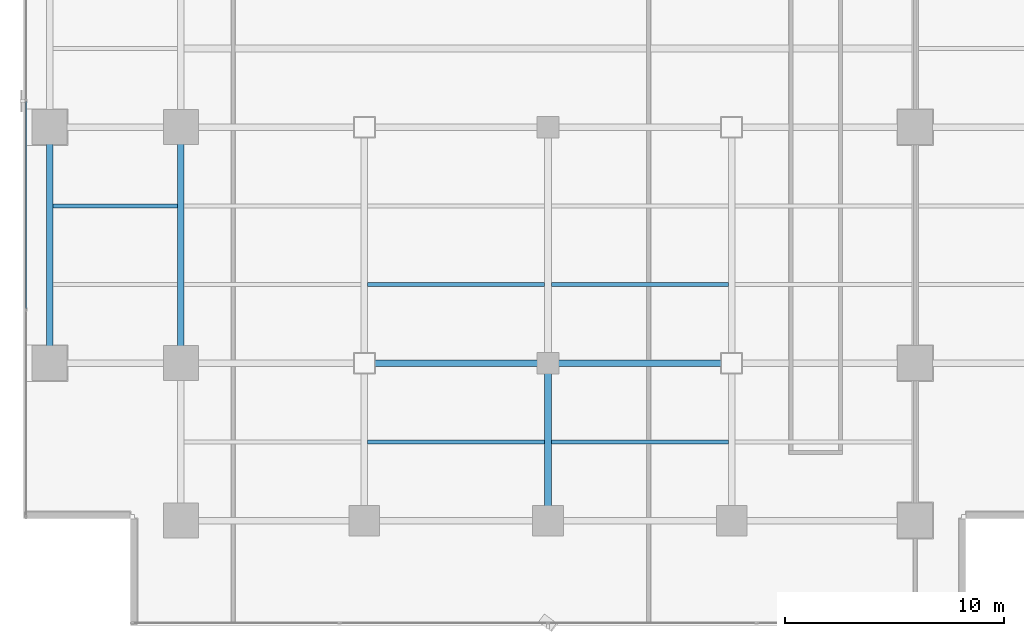
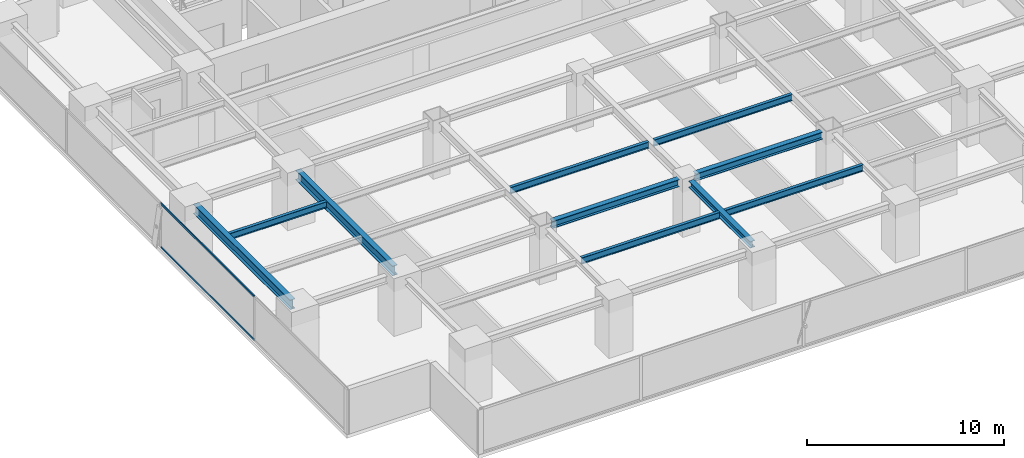
# One storey, part 6 of 27: 10 beams, 2 members, 1 element without a shape of its own.
"""IFC4 building model written with IfcOpenShell, lengths in metres."""

import ifcopenshell
import ifcopenshell.guid

model = None  # the IFC model being written
_history = None  # IfcOwnerHistory: only IFC2X3 demands one
_inside = {}  # id of a spatial element -> (the spatial element, [elements in it])
_under = {}  # id of a project, library or spatial element -> (it, [spatial elements below it])
_declared = {}  # id of a project -> (the project, [libraries it declares])
_typed = {}  # id of a type object -> (the type object, [elements of that type])
_made_of = {}  # id of a material, layer set ... -> (it, [elements and type objects made of it])


def new_model(schema):
    """Start an empty IFC model of exactly this schema.

    Asked for "IFC4X3", IfcOpenShell would pick the latest addendum, in which some entities
    have other attributes; the version numbers below select the first issue.
    IFC2X3 requires an IfcOwnerHistory on every rooted entity: one is made here for all.
    """
    global model, _history
    if schema == "IFC4X3":
        model = ifcopenshell.file(schema_version=(4, 3, 0, 0))
    else:
        model = ifcopenshell.file(schema=schema)
    _inside.clear()
    _under.clear()
    _declared.clear()
    _typed.clear()
    _made_of.clear()
    _history = None
    if model.schema == "IFC2X3":
        org = make("IfcOrganization", Name="unknown")
        user = make(
            "IfcPersonAndOrganization",
            ThePerson=make("IfcPerson", FamilyName="unknown"),
            TheOrganization=org,
        )
        app = make(
            "IfcApplication",
            ApplicationDeveloper=org,
            Version="unknown",
            ApplicationFullName="unknown",
            ApplicationIdentifier="unknown",
        )
        _history = make(
            "IfcOwnerHistory",
            OwningUser=user,
            OwningApplication=app,
            ChangeAction="ADDED",
            CreationDate=0,
        )
    return model


def make(cls, **values):
    """One entity of the class cls with the attributes given. An attribute that is None is left unset."""
    return model.create_entity(
        cls, **{name: value for name, value in values.items() if value is not None}
    )


def rooted(cls, **values):
    """An entity with a GlobalId (a new one), such as an element, a storey or a relation."""
    return make(cls, GlobalId=ifcopenshell.guid.new(), OwnerHistory=_history, **values)


def si_unit(unit_type, name, prefix=None):
    """IfcSIUnit, for example si_unit("LENGTHUNIT", "METRE", prefix="MILLI")."""
    return make("IfcSIUnit", UnitType=unit_type, Prefix=prefix, Name=name)


def assignment(units):
    """IfcUnitAssignment: the units of a project."""
    return None if units is None else make("IfcUnitAssignment", Units=units)


def point(xyz):
    """IfcCartesianPoint."""
    return None if xyz is None else make("IfcCartesianPoint", Coordinates=xyz)


def direction(xyz):
    """IfcDirection."""
    return None if xyz is None else make("IfcDirection", DirectionRatios=xyz)


def frame(location, z_axis=None, x_axis=None):
    """IfcAxis2Placement3D, a coordinate frame: its origin and axes. An axis left out is left unset."""
    return make(
        "IfcAxis2Placement3D",
        Location=point(location),
        Axis=direction(z_axis),
        RefDirection=direction(x_axis),
    )


def frame_2d(location, x_axis=None):
    """IfcAxis2Placement2D, a coordinate frame in the plane: its origin and x axis."""
    return make(
        "IfcAxis2Placement2D", Location=point(location), RefDirection=direction(x_axis)
    )


def origin():
    """The frame at (0, 0, 0) with its axes left unset."""
    return frame((0.0, 0.0, 0.0))


def origin_2d():
    """The frame at (0, 0) in the plane with its x axis left unset."""
    return frame_2d((0.0, 0.0))


def place(relative_to, where):
    """IfcLocalPlacement: puts the frame where relative to a parent placement (None: the world)."""
    return make(
        "IfcLocalPlacement", PlacementRelTo=relative_to, RelativePlacement=where
    )


def context(
    kind, dimensions, precision=None, world=None, true_north=None, identifier=None
):
    """IfcGeometricRepresentationContext, for example the 3D "Model" context."""
    return make(
        "IfcGeometricRepresentationContext",
        ContextIdentifier=identifier,
        ContextType=kind,
        CoordinateSpaceDimension=dimensions,
        Precision=precision,
        WorldCoordinateSystem=world,
        TrueNorth=true_north,
    )


def subcontext(parent, identifier, kind, view, scale=None):
    """IfcGeometricRepresentationSubContext, for example "Body" below "Model"."""
    return make(
        "IfcGeometricRepresentationSubContext",
        ContextIdentifier=identifier,
        ContextType=kind,
        ParentContext=parent,
        TargetScale=scale,
        TargetView=view,
    )


def project(units=None, contexts=None):
    """IfcProject with its units and contexts."""
    return rooted(
        "IfcProject",
        Name="project",
        RepresentationContexts=contexts,
        UnitsInContext=assignment(units),
    )


def spatial(cls, under=None, at=None, **own):
    """A site, building, storey or space (cls), placed at a placement, below another one or the project."""
    s = rooted(cls, ObjectPlacement=at, **own)
    if under is not None:
        _under.setdefault(under.id(), (under, []))[1].append(s)
    return s


def profile(cls, at=None, kind="AREA", **sizes):
    """A parametric profile (cls). Its sizes go by their IFC names, for example OverallWidth=200.0."""
    return make(cls, ProfileType=kind, Position=at, **sizes)


def hollow_rectangle(**sizes):
    """IfcRectangleHollowProfileDef."""
    return profile("IfcRectangleHollowProfileDef", **sizes)


def i_section(**sizes):
    """IfcIShapeProfileDef."""
    return profile("IfcIShapeProfileDef", **sizes)


def extrude(swept, where, along, depth):
    """IfcExtrudedAreaSolid: the profile swept, set in the frame where, extruded along a direction by depth."""
    return make(
        "IfcExtrudedAreaSolid",
        SweptArea=swept,
        Position=where,
        ExtrudedDirection=direction(along),
        Depth=depth,
    )


def shape(context_of_items, identifier, shape_type, items):
    """IfcShapeRepresentation: the items that make up one representation, for example the "Body"."""
    return make(
        "IfcShapeRepresentation",
        ContextOfItems=context_of_items,
        RepresentationIdentifier=identifier,
        RepresentationType=shape_type,
        Items=items,
    )


def source(mapping_origin, context_of_items, identifier, shape_type, items):
    """IfcRepresentationMap: a shape defined once, which mapped items show again and again."""
    return make(
        "IfcRepresentationMap",
        MappingOrigin=mapping_origin,
        MappedRepresentation=shape(context_of_items, identifier, shape_type, items),
    )


def transform(
    local_origin,
    x_axis=None,
    y_axis=None,
    z_axis=None,
    scale=None,
    scale2=None,
    scale3=None,
    uniform=True,
):
    """IfcCartesianTransformationOperator3D, or its non-uniform kind. x_axis, y_axis, z_axis: its Axis1, 2, 3."""
    if uniform:
        return make(
            "IfcCartesianTransformationOperator3D",
            Axis1=direction(x_axis),
            Axis2=direction(y_axis),
            LocalOrigin=point(local_origin),
            Scale=scale,
            Axis3=direction(z_axis),
        )
    return make(
        "IfcCartesianTransformationOperator3DnonUniform",
        Axis1=direction(x_axis),
        Axis2=direction(y_axis),
        LocalOrigin=point(local_origin),
        Scale=scale,
        Axis3=direction(z_axis),
        Scale2=scale2,
        Scale3=scale3,
    )


def mapped(mapping_source, mapping_target):
    """IfcMappedItem: shows the shape of a source again, moved by a transform."""
    return make(
        "IfcMappedItem", MappingSource=mapping_source, MappingTarget=mapping_target
    )


def material(Name=None, Category=None):
    """IfcMaterial."""
    return make("IfcMaterial", Name=Name, Category=Category)


def layer(
    of_material, thickness, ventilated=None, Name=None, Category=None, Priority=None
):
    """IfcMaterialLayer: one layer of a wall or slab, of a material (None: an air gap)."""
    return make(
        "IfcMaterialLayer",
        Material=of_material,
        LayerThickness=thickness,
        IsVentilated=ventilated,
        Name=Name,
        Category=Category,
        Priority=Priority,
    )


def layer_set(layers, Name=None):
    """IfcMaterialLayerSet."""
    return make("IfcMaterialLayerSet", MaterialLayers=layers, LayerSetName=Name)


def material_profile(
    of_material, cross_section, Name=None, Category=None, Priority=None
):
    """IfcMaterialProfile: a cross section and its material."""
    return make(
        "IfcMaterialProfile",
        Name=Name,
        Material=of_material,
        Profile=cross_section,
        Priority=Priority,
        Category=Category,
    )


def profile_set(profiles, Name=None, composite=None):
    """IfcMaterialProfileSet."""
    return make(
        "IfcMaterialProfileSet",
        Name=Name,
        MaterialProfiles=profiles,
        CompositeProfile=composite,
    )


def made_of(thing, what):
    """Note that an element or type object is made of a material, layer set ...; save() writes the relation."""
    if what is not None:
        _made_of.setdefault(what.id(), (what, []))[1].append(thing)
    return thing


def type_object(cls, material=None, **own):
    """A type object (cls), such as IfcWallType, which elements share."""
    return made_of(rooted(cls, **own), material)


def element(
    cls,
    number,
    at=None,
    inside=None,
    cuts=None,
    type_object=None,
    material=None,
    context=None,
    identifier="Body",
    shape_type=None,
    held_by="IfcProductDefinitionShape",
    body=None,
    shapes=None,
    **own,
):
    """One element of the class cls, such as IfcWall. Its Tag is "e" and its number.

    at: its placement. inside: the storey or other place that contains it. cuts: it is an
    opening in that element (IfcRelVoidsElement). A single representation is given by context,
    identifier, shape_type and body (its items); several are given by shapes. held_by: the class
    of the entity that holds the representations. save() writes the other relations.
    """
    e = rooted(cls, Tag="e%d" % number, ObjectPlacement=at, **own)
    if body is not None:
        shapes = [shape(context, identifier, shape_type, body)]
    if shapes is not None:
        e.Representation = make(held_by, Representations=shapes)
    if inside is not None:
        _inside.setdefault(inside.id(), (inside, []))[1].append(e)
    if cuts is not None:
        rooted(
            "IfcRelVoidsElement", RelatingBuildingElement=cuts, RelatedOpeningElement=e
        )
    if type_object is not None:
        _typed.setdefault(type_object.id(), (type_object, []))[1].append(e)
    return made_of(e, material)


def aggregate(whole, parts):
    """IfcRelAggregates: a whole, such as a stair, and the parts it consists of."""
    return rooted("IfcRelAggregates", RelatingObject=whole, RelatedObjects=parts)


def save(model, path):
    """Write the relations noted so far, then the file.

    IfcRelAggregates (storeys below a building ...), IfcRelContainedInSpatialStructure (elements
    in a storey), IfcRelDefinesByType, IfcRelAssociatesMaterial and IfcRelDeclares: one each for
    every whole, place, type object, material and project.
    """
    for whole, parts in _under.values():
        aggregate(whole, parts)
    for where, things in _inside.values():
        rooted(
            "IfcRelContainedInSpatialStructure",
            RelatedElements=things,
            RelatingStructure=where,
        )
    for kind, things in _typed.values():
        rooted("IfcRelDefinesByType", RelatedObjects=things, RelatingType=kind)
    for what, things in _made_of.values():
        rooted("IfcRelAssociatesMaterial", RelatedObjects=things, RelatingMaterial=what)
    for by, libraries in _declared.values():
        rooted("IfcRelDeclares", RelatingContext=by, RelatedDefinitions=libraries)
    model.write(path)


model = new_model("IFC4")

# Units and contexts
model_context = context("Model", 3, precision=1e-05, world=origin(), true_north=direction((0.0, 1.0)))
body_context = subcontext(model_context, "Body", "Model", "MODEL_VIEW")
ifc_project = project(units=[si_unit("LENGTHUNIT", "METRE"), si_unit("AREAUNIT", "SQUARE_METRE"), si_unit("VOLUMEUNIT", "CUBIC_METRE"), si_unit("PLANEANGLEUNIT", "RADIAN"), si_unit("MASSUNIT", "GRAM", prefix="KILO")], contexts=[model_context])

# Site, building, storey
site_placement = place(None, origin())
site = spatial("IfcSite", under=ifc_project, at=site_placement, CompositionType="ELEMENT")
building_placement = place(site_placement, origin())
building = spatial("IfcBuilding", under=site, at=building_placement, Name="Sumidabori Civic Tower", CompositionType="ELEMENT")
storey_placement = place(building_placement, frame((0.0, 0.0, 164.0)))
storey = spatial("IfcBuildingStorey", under=building, at=storey_placement, Name="L42", CompositionType="ELEMENT", Elevation=164.0)

# Beams
ifc_material_1 = material(Name="Steel SN490", Category="steel")
ifc_material_profile_1 = material_profile(ifc_material_1, i_section(OverallWidth=0.300048828125, OverallDepth=0.39990234375, WebThickness=0.013427734375, FlangeThickness=0.02392578125, at=origin_2d()), Name="HE 400 B")
ifc_profile_set_1 = profile_set([ifc_material_profile_1], Name="Steel SN490")
beam_type_1 = type_object("IfcBeamType", Name="BM-GIRD-400", PredefinedType="BEAM", material=ifc_profile_set_1)
shared_shape_1 = source(origin(), body_context, "Body", "SweptSolid", [
    extrude(i_section(OverallWidth=0.300048828125, OverallDepth=0.39990234375, WebThickness=0.013427734375, FlangeThickness=0.02392578125, at=origin_2d()), origin(), (0.0, 0.0, 1.0), 6.239990234375),
])
beam_1_placement = place(storey_placement, frame((0.0, -17.52001953125, 3.179931640625), z_axis=(0.0, 1.0, 0.0), x_axis=(-1.0, 0.0, 0.0)))
element("IfcBeam", 1, at=beam_1_placement, inside=storey, type_object=beam_type_1, Name="Primary Girder L42 GY-28", PredefinedType="BEAM", context=body_context, shape_type="MappedRepresentation", body=[
    mapped(shared_shape_1, transform((0.0, 0.0, 0.0), x_axis=(1.0, 0.0, 0.0), y_axis=(0.0, 1.0, 0.0), z_axis=(0.0, 0.0, 1.0), scale=1.0)),
])
ifc_material_profile_2 = material_profile(ifc_material_1, i_section(OverallWidth=0.300048828125, OverallDepth=0.60009765625, WebThickness=0.015380859375, FlangeThickness=0.030029296875, at=origin_2d()), Name="HE 600 B")
ifc_profile_set_2 = profile_set([ifc_material_profile_2], Name="Steel SN490")
beam_type_2 = type_object("IfcBeamType", Name="BM-GIRD-600", PredefinedType="BEAM", material=ifc_profile_set_2)
shared_shape_2 = source(origin(), body_context, "Body", "SweptSolid", [
    extrude(i_section(OverallWidth=0.300048828125, OverallDepth=0.60009765625, WebThickness=0.015380859375, FlangeThickness=0.030029296875, at=origin_2d()), origin(), (0.0, 0.0, 1.0), 9.840087890625),
])
for number, where, z_axis, x_axis, name in (
    (2, (-22.800048828125, -10.320068359375, 3.080078125), (0.0, 1.0, 0.0), (-1.0, 0.0, 0.0), "Primary Girder L42 GY-19"),
    (3, (-16.800048828125, -10.320068359375, 3.080078125), (0.0, 1.0, 0.0), (-1.0, 0.0, 0.0), "Primary Girder L42 GY-23"),
):
    element("IfcBeam", number, at=place(storey_placement, frame(where, z_axis=z_axis, x_axis=x_axis)), inside=storey, type_object=beam_type_2, Name=name, PredefinedType="BEAM", context=body_context, shape_type="MappedRepresentation", body=[
        mapped(shared_shape_2, transform((0.0, 0.0, 0.0), x_axis=(1.0, 0.0, 0.0), y_axis=(0.0, 1.0, 0.0), z_axis=(0.0, 0.0, 1.0), scale=1.0)),
    ])
ifc_material_profile_3 = material_profile(ifc_material_1, i_section(OverallWidth=0.179931640625, OverallDepth=0.39990234375, WebThickness=0.008544921875, FlangeThickness=0.013427734375, at=origin_2d()), Name="IPE 400")
ifc_profile_set_3 = profile_set([ifc_material_profile_3], Name="Steel SN490")
beam_type_3 = type_object("IfcBeamType", Name="BM-JST-400", PredefinedType="JOIST", material=ifc_profile_set_3)
shared_shape_3 = source(origin(), body_context, "Body", "SweptSolid", [
    extrude(i_section(OverallWidth=0.179931640625, OverallDepth=0.39990234375, WebThickness=0.008544921875, FlangeThickness=0.013427734375, at=origin_2d()), origin(), (0.0, 0.0, 1.0), 5.699951171875),
])
beam_2_placement = place(storey_placement, frame((-22.64990234375, -3.60009765625, 3.179931640625), z_axis=(1.0, 0.0, 0.0), x_axis=(0.0, 1.0, 0.0)))
element("IfcBeam", 4, at=beam_2_placement, inside=storey, type_object=beam_type_3, Name="Outer Bay Floor Joist L42 JSTO-41", PredefinedType="JOIST", context=body_context, shape_type="MappedRepresentation", body=[
    mapped(shared_shape_3, transform((0.0, 0.0, 0.0), x_axis=(1.0, 0.0, 0.0), y_axis=(0.0, 1.0, 0.0), z_axis=(0.0, 0.0, 1.0), scale=1.0)),
])
shared_shape_4 = source(origin(), body_context, "Body", "SweptSolid", [
    extrude(i_section(OverallWidth=0.179931640625, OverallDepth=0.39990234375, WebThickness=0.008544921875, FlangeThickness=0.013427734375, at=origin_2d()), origin(), (0.0, 0.0, 1.0), 8.10009765625),
])
for number, where, z_axis, x_axis, name in (
    (5, (-8.25, -14.39990234375, 3.179931640625), (1.0, 0.0, 0.0), (0.0, 1.0, 0.0), "South Bay Floor Joist L42 JSTS-50"),
    (6, (0.14990234375, -14.39990234375, 3.179931640625), (1.0, 0.0, 0.0), (0.0, 1.0, 0.0), "South Bay Floor Joist L42 JSTS-51"),
    (7, (-8.25, -7.199951171875, 3.179931640625), (1.0, 0.0, 0.0), (0.0, 1.0, 0.0), "South Bay Floor Joist L42 JSTS-54"),
    (8, (0.14990234375, -7.199951171875, 3.179931640625), (1.0, 0.0, 0.0), (0.0, 1.0, 0.0), "South Bay Floor Joist L42 JSTS-55"),
):
    element("IfcBeam", number, at=place(storey_placement, frame(where, z_axis=z_axis, x_axis=x_axis)), inside=storey, type_object=beam_type_3, Name=name, PredefinedType="JOIST", context=body_context, shape_type="MappedRepresentation", body=[
        mapped(shared_shape_4, transform((0.0, 0.0, 0.0), x_axis=(1.0, 0.0, 0.0), y_axis=(0.0, 1.0, 0.0), z_axis=(0.0, 0.0, 1.0), scale=1.0)),
    ])
ifc_material_profile_4 = material_profile(ifc_material_1, i_section(OverallWidth=0.300048828125, OverallDepth=0.449951171875, WebThickness=0.013916015625, FlangeThickness=0.02587890625, at=origin_2d()), Name="HE 450 B")
ifc_profile_set_4 = profile_set([ifc_material_profile_4], Name="Steel SN490")
beam_type_4 = type_object("IfcBeamType", Name="BM-GIRD-450", PredefinedType="BEAM", material=ifc_profile_set_4)
shared_shape_5 = source(origin(), body_context, "Body", "SweptSolid", [
    extrude(i_section(OverallWidth=0.300048828125, OverallDepth=0.449951171875, WebThickness=0.013916015625, FlangeThickness=0.02587890625, at=origin_2d()), origin(), (0.0, 0.0, 1.0), 7.43994140625),
])
for number, where, z_axis, x_axis, name in (
    (9, (-7.919921875, -10.800048828125, 3.155029296875), (1.0, 0.0, 0.0), (0.0, 1.0, 0.0), "Primary Girder L42 GX-07"),
    (10, (0.47998046875, -10.800048828125, 3.155029296875), (1.0, 0.0, 0.0), (0.0, 1.0, 0.0), "Primary Girder L42 GX-08"),
):
    element("IfcBeam", number, at=place(storey_placement, frame(where, z_axis=z_axis, x_axis=x_axis)), inside=storey, type_object=beam_type_4, Name=name, PredefinedType="BEAM", context=body_context, shape_type="MappedRepresentation", body=[
        mapped(shared_shape_5, transform((0.0, 0.0, 0.0), x_axis=(1.0, 0.0, 0.0), y_axis=(0.0, 1.0, 0.0), z_axis=(0.0, 0.0, 1.0), scale=1.0)),
    ])

# Curtain wall, members
ifc_material_2 = material(Name="Anodised Bronze Aluminium AW-6063-T6", Category="aluminium")
ifc_layer = layer(ifc_material_2, 0.179931640625, Name="Anodised Bronze Aluminium AW-6063-T6")
ifc_layer_set = layer_set([ifc_layer], Name="Anodised Bronze Aluminium AW-6063-T6")
curtain_wall_type = type_object("IfcCurtainWallType", Name="CW-SYS-3", PredefinedType="NOTDEFINED", material=ifc_layer_set)
curtain_wall_placement = place(storey_placement, origin())
curtain_wall = element("IfcCurtainWall", 11, at=curtain_wall_placement, inside=storey, type_object=curtain_wall_type, Name="Curtain Wall CW:L42:R10", PredefinedType="NOTDEFINED")
ifc_material_profile_5 = material_profile(ifc_material_2, hollow_rectangle(XDim=0.06005859375, YDim=0.1298828125, WallThickness=0.0048828125, at=origin_2d()), Name="ALU TRANSOM 130x60")
ifc_profile_set_5 = profile_set([ifc_material_profile_5], Name="Anodised Bronze Aluminium AW-6063-T6")
member_type = type_object("IfcMemberType", Name="CW-TRN-130", PredefinedType="USERDEFINED", material=ifc_profile_set_5)
shared_shape_6 = source(origin(), body_context, "Body", "SweptSolid", [
    extrude(hollow_rectangle(XDim=0.06005859375, YDim=0.1298828125, WallThickness=0.0048828125, at=origin_2d()), origin(), (0.0, 0.0, 1.0), 9.469970703125),
])
member_1_placement = place(storey_placement, frame((-23.8798828125, 1.16748046875, 0.030029296875), z_axis=(0.0, -1.0, 0.0), x_axis=(1.0, 0.0, 0.0)))
member_1 = element("IfcMember", 12, at=member_1_placement, type_object=member_type, Name="CW-3 transom 3.1", ObjectType="TRANSOM", PredefinedType="USERDEFINED", context=body_context, shape_type="MappedRepresentation", body=[
    mapped(shared_shape_6, transform((0.0, 0.0, 0.0), x_axis=(1.0, 0.0, 0.0), y_axis=(0.0, 1.0, 0.0), z_axis=(0.0, 0.0, 1.0), scale=1.0)),
])
member_2_placement = place(storey_placement, frame((-23.8798828125, 1.16748046875, 2.72998046875), z_axis=(0.0, -1.0, 0.0), x_axis=(1.0, 0.0, 0.0)))
member_2 = element("IfcMember", 13, at=member_2_placement, type_object=member_type, Name="CW-3 transom 3.2", ObjectType="TRANSOM", PredefinedType="USERDEFINED", context=body_context, shape_type="MappedRepresentation", body=[
    mapped(shared_shape_6, transform((0.0, 0.0, 0.0), x_axis=(1.0, 0.0, 0.0), y_axis=(0.0, 1.0, 0.0), z_axis=(0.0, 0.0, 1.0), scale=1.0)),
])
aggregate(curtain_wall, [member_1, member_2])

save(model, "model.ifc")
